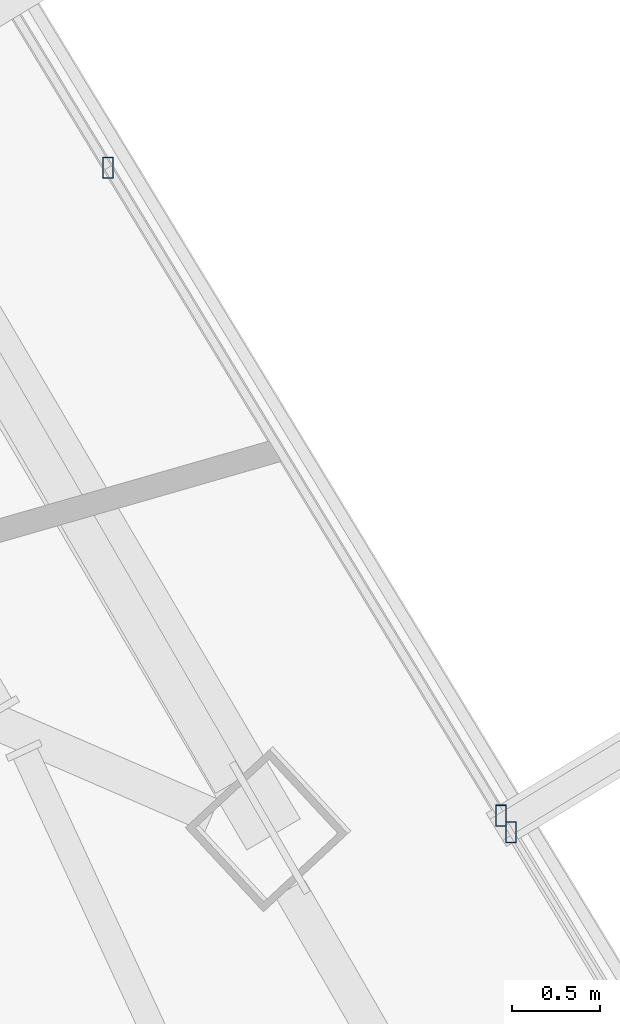
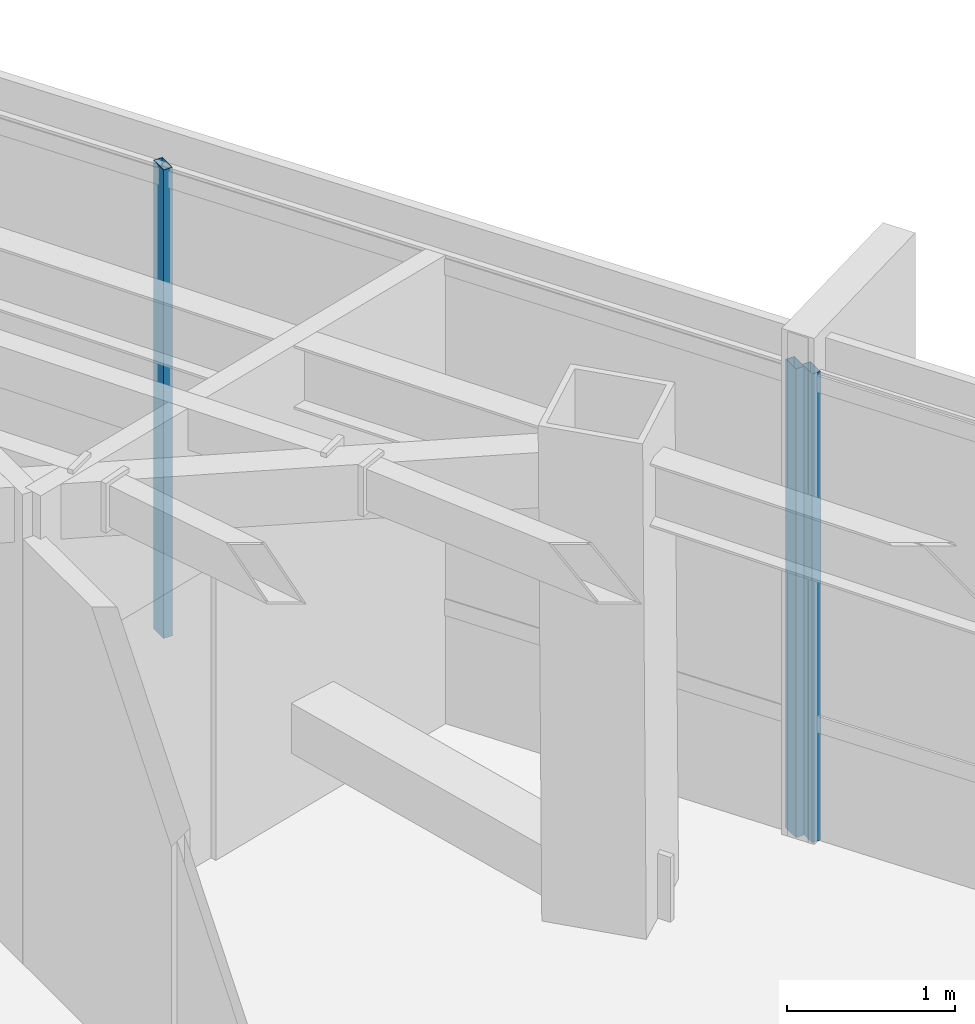
# One storey, part 26 of 45: 3 members, 2 elements without a shape of their own.
"""IFC4 building model written with IfcOpenShell, lengths in metres."""

import ifcopenshell
import ifcopenshell.guid

model = None  # the IFC model being written
_history = None  # IfcOwnerHistory: only IFC2X3 demands one
_inside = {}  # id of a spatial element -> (the spatial element, [elements in it])
_under = {}  # id of a project, library or spatial element -> (it, [spatial elements below it])
_declared = {}  # id of a project -> (the project, [libraries it declares])
_typed = {}  # id of a type object -> (the type object, [elements of that type])
_made_of = {}  # id of a material, layer set ... -> (it, [elements and type objects made of it])


def new_model(schema):
    """Start an empty IFC model of exactly this schema.

    Asked for "IFC4X3", IfcOpenShell would pick the latest addendum, in which some entities
    have other attributes; the version numbers below select the first issue.
    IFC2X3 requires an IfcOwnerHistory on every rooted entity: one is made here for all.
    """
    global model, _history
    if schema == "IFC4X3":
        model = ifcopenshell.file(schema_version=(4, 3, 0, 0))
    else:
        model = ifcopenshell.file(schema=schema)
    _inside.clear()
    _under.clear()
    _declared.clear()
    _typed.clear()
    _made_of.clear()
    _history = None
    if model.schema == "IFC2X3":
        org = make("IfcOrganization", Name="unknown")
        user = make(
            "IfcPersonAndOrganization",
            ThePerson=make("IfcPerson", FamilyName="unknown"),
            TheOrganization=org,
        )
        app = make(
            "IfcApplication",
            ApplicationDeveloper=org,
            Version="unknown",
            ApplicationFullName="unknown",
            ApplicationIdentifier="unknown",
        )
        _history = make(
            "IfcOwnerHistory",
            OwningUser=user,
            OwningApplication=app,
            ChangeAction="ADDED",
            CreationDate=0,
        )
    return model


def make(cls, **values):
    """One entity of the class cls with the attributes given. An attribute that is None is left unset."""
    return model.create_entity(
        cls, **{name: value for name, value in values.items() if value is not None}
    )


def rooted(cls, **values):
    """An entity with a GlobalId (a new one), such as an element, a storey or a relation."""
    return make(cls, GlobalId=ifcopenshell.guid.new(), OwnerHistory=_history, **values)


def si_unit(unit_type, name, prefix=None):
    """IfcSIUnit, for example si_unit("LENGTHUNIT", "METRE", prefix="MILLI")."""
    return make("IfcSIUnit", UnitType=unit_type, Prefix=prefix, Name=name)


def assignment(units):
    """IfcUnitAssignment: the units of a project."""
    return None if units is None else make("IfcUnitAssignment", Units=units)


def point(xyz):
    """IfcCartesianPoint."""
    return None if xyz is None else make("IfcCartesianPoint", Coordinates=xyz)


def direction(xyz):
    """IfcDirection."""
    return None if xyz is None else make("IfcDirection", DirectionRatios=xyz)


def frame(location, z_axis=None, x_axis=None):
    """IfcAxis2Placement3D, a coordinate frame: its origin and axes. An axis left out is left unset."""
    return make(
        "IfcAxis2Placement3D",
        Location=point(location),
        Axis=direction(z_axis),
        RefDirection=direction(x_axis),
    )


def frame_2d(location, x_axis=None):
    """IfcAxis2Placement2D, a coordinate frame in the plane: its origin and x axis."""
    return make(
        "IfcAxis2Placement2D", Location=point(location), RefDirection=direction(x_axis)
    )


def origin():
    """The frame at (0, 0, 0) with its axes left unset."""
    return frame((0.0, 0.0, 0.0))


def origin_2d():
    """The frame at (0, 0) in the plane with its x axis left unset."""
    return frame_2d((0.0, 0.0))


def place(relative_to, where):
    """IfcLocalPlacement: puts the frame where relative to a parent placement (None: the world)."""
    return make(
        "IfcLocalPlacement", PlacementRelTo=relative_to, RelativePlacement=where
    )


def context(
    kind, dimensions, precision=None, world=None, true_north=None, identifier=None
):
    """IfcGeometricRepresentationContext, for example the 3D "Model" context."""
    return make(
        "IfcGeometricRepresentationContext",
        ContextIdentifier=identifier,
        ContextType=kind,
        CoordinateSpaceDimension=dimensions,
        Precision=precision,
        WorldCoordinateSystem=world,
        TrueNorth=true_north,
    )


def subcontext(parent, identifier, kind, view, scale=None):
    """IfcGeometricRepresentationSubContext, for example "Body" below "Model"."""
    return make(
        "IfcGeometricRepresentationSubContext",
        ContextIdentifier=identifier,
        ContextType=kind,
        ParentContext=parent,
        TargetScale=scale,
        TargetView=view,
    )


def project(units=None, contexts=None):
    """IfcProject with its units and contexts."""
    return rooted(
        "IfcProject",
        Name="project",
        RepresentationContexts=contexts,
        UnitsInContext=assignment(units),
    )


def spatial(cls, under=None, at=None, **own):
    """A site, building, storey or space (cls), placed at a placement, below another one or the project."""
    s = rooted(cls, ObjectPlacement=at, **own)
    if under is not None:
        _under.setdefault(under.id(), (under, []))[1].append(s)
    return s


def profile(cls, at=None, kind="AREA", **sizes):
    """A parametric profile (cls). Its sizes go by their IFC names, for example OverallWidth=200.0."""
    return make(cls, ProfileType=kind, Position=at, **sizes)


def hollow_rectangle(**sizes):
    """IfcRectangleHollowProfileDef."""
    return profile("IfcRectangleHollowProfileDef", **sizes)


def extrude(swept, where, along, depth):
    """IfcExtrudedAreaSolid: the profile swept, set in the frame where, extruded along a direction by depth."""
    return make(
        "IfcExtrudedAreaSolid",
        SweptArea=swept,
        Position=where,
        ExtrudedDirection=direction(along),
        Depth=depth,
    )


def shape(context_of_items, identifier, shape_type, items):
    """IfcShapeRepresentation: the items that make up one representation, for example the "Body"."""
    return make(
        "IfcShapeRepresentation",
        ContextOfItems=context_of_items,
        RepresentationIdentifier=identifier,
        RepresentationType=shape_type,
        Items=items,
    )


def source(mapping_origin, context_of_items, identifier, shape_type, items):
    """IfcRepresentationMap: a shape defined once, which mapped items show again and again."""
    return make(
        "IfcRepresentationMap",
        MappingOrigin=mapping_origin,
        MappedRepresentation=shape(context_of_items, identifier, shape_type, items),
    )


def transform(
    local_origin,
    x_axis=None,
    y_axis=None,
    z_axis=None,
    scale=None,
    scale2=None,
    scale3=None,
    uniform=True,
):
    """IfcCartesianTransformationOperator3D, or its non-uniform kind. x_axis, y_axis, z_axis: its Axis1, 2, 3."""
    if uniform:
        return make(
            "IfcCartesianTransformationOperator3D",
            Axis1=direction(x_axis),
            Axis2=direction(y_axis),
            LocalOrigin=point(local_origin),
            Scale=scale,
            Axis3=direction(z_axis),
        )
    return make(
        "IfcCartesianTransformationOperator3DnonUniform",
        Axis1=direction(x_axis),
        Axis2=direction(y_axis),
        LocalOrigin=point(local_origin),
        Scale=scale,
        Axis3=direction(z_axis),
        Scale2=scale2,
        Scale3=scale3,
    )


def mapped(mapping_source, mapping_target):
    """IfcMappedItem: shows the shape of a source again, moved by a transform."""
    return make(
        "IfcMappedItem", MappingSource=mapping_source, MappingTarget=mapping_target
    )


def material(Name=None, Category=None):
    """IfcMaterial."""
    return make("IfcMaterial", Name=Name, Category=Category)


def material_profile(
    of_material, cross_section, Name=None, Category=None, Priority=None
):
    """IfcMaterialProfile: a cross section and its material."""
    return make(
        "IfcMaterialProfile",
        Name=Name,
        Material=of_material,
        Profile=cross_section,
        Priority=Priority,
        Category=Category,
    )


def profile_set(profiles, Name=None, composite=None):
    """IfcMaterialProfileSet."""
    return make(
        "IfcMaterialProfileSet",
        Name=Name,
        MaterialProfiles=profiles,
        CompositeProfile=composite,
    )


def made_of(thing, what):
    """Note that an element or type object is made of a material, layer set ...; save() writes the relation."""
    if what is not None:
        _made_of.setdefault(what.id(), (what, []))[1].append(thing)
    return thing


def type_object(cls, material=None, **own):
    """A type object (cls), such as IfcWallType, which elements share."""
    return made_of(rooted(cls, **own), material)


def type_shapes(of_type, sources):
    """Give a type object the sources (RepresentationMaps) that its elements show as mapped items."""
    of_type.RepresentationMaps = sources


def element(
    cls,
    number,
    at=None,
    inside=None,
    cuts=None,
    type_object=None,
    material=None,
    context=None,
    identifier="Body",
    shape_type=None,
    held_by="IfcProductDefinitionShape",
    body=None,
    shapes=None,
    **own,
):
    """One element of the class cls, such as IfcWall. Its Tag is "e" and its number.

    at: its placement. inside: the storey or other place that contains it. cuts: it is an
    opening in that element (IfcRelVoidsElement). A single representation is given by context,
    identifier, shape_type and body (its items); several are given by shapes. held_by: the class
    of the entity that holds the representations. save() writes the other relations.
    """
    e = rooted(cls, Tag="e%d" % number, ObjectPlacement=at, **own)
    if body is not None:
        shapes = [shape(context, identifier, shape_type, body)]
    if shapes is not None:
        e.Representation = make(held_by, Representations=shapes)
    if inside is not None:
        _inside.setdefault(inside.id(), (inside, []))[1].append(e)
    if cuts is not None:
        rooted(
            "IfcRelVoidsElement", RelatingBuildingElement=cuts, RelatedOpeningElement=e
        )
    if type_object is not None:
        _typed.setdefault(type_object.id(), (type_object, []))[1].append(e)
    return made_of(e, material)


def aggregate(whole, parts):
    """IfcRelAggregates: a whole, such as a stair, and the parts it consists of."""
    return rooted("IfcRelAggregates", RelatingObject=whole, RelatedObjects=parts)


def save(model, path):
    """Write the relations noted so far, then the file.

    IfcRelAggregates (storeys below a building ...), IfcRelContainedInSpatialStructure (elements
    in a storey), IfcRelDefinesByType, IfcRelAssociatesMaterial and IfcRelDeclares: one each for
    every whole, place, type object, material and project.
    """
    for whole, parts in _under.values():
        aggregate(whole, parts)
    for where, things in _inside.values():
        rooted(
            "IfcRelContainedInSpatialStructure",
            RelatedElements=things,
            RelatingStructure=where,
        )
    for kind, things in _typed.values():
        rooted("IfcRelDefinesByType", RelatedObjects=things, RelatingType=kind)
    for what, things in _made_of.values():
        rooted("IfcRelAssociatesMaterial", RelatedObjects=things, RelatingMaterial=what)
    for by, libraries in _declared.values():
        rooted("IfcRelDeclares", RelatingContext=by, RelatedDefinitions=libraries)
    model.write(path)


model = new_model("IFC4")

# Units and contexts
model_context = context("Model", 3, precision=1e-05, world=origin(), true_north=direction((0.0, 1.0)))
body_context = subcontext(model_context, "Body", "Model", "MODEL_VIEW")
ifc_project = project(units=[si_unit("LENGTHUNIT", "METRE"), si_unit("AREAUNIT", "SQUARE_METRE"), si_unit("VOLUMEUNIT", "CUBIC_METRE"), si_unit("PLANEANGLEUNIT", "RADIAN"), si_unit("MASSUNIT", "GRAM", prefix="KILO")], contexts=[model_context])

# Site, building, storey
site_placement = place(None, origin())
site = spatial("IfcSite", under=ifc_project, at=site_placement, CompositionType="ELEMENT")
building_placement = place(site_placement, origin())
building = spatial("IfcBuilding", under=site, at=building_placement, Name="Caelisora Broadcast Tower", CompositionType="ELEMENT")
storey_placement = place(building_placement, frame((0.0, 0.0, 240.800048828125)))
storey = spatial("IfcBuildingStorey", under=building, at=storey_placement, Name="L63", CompositionType="ELEMENT", Elevation=240.800048828125)

# Curtain wall, members
ifc_material_1 = material(Name="Unitised Aluminium Insulated Shadow-Box Spandrel Curtain Wall", Category="aluminium")
curtain_wall_type_1 = type_object("IfcCurtainWallType", Name="CW-SP3", PredefinedType="NOTDEFINED", material=ifc_material_1)
curtain_wall_1_placement = place(storey_placement, origin())
curtain_wall_1 = element("IfcCurtainWall", 1, at=curtain_wall_1_placement, inside=storey, type_object=curtain_wall_type_1, Name="L63 curtain wall CW-SP3", PredefinedType="NOTDEFINED")
ifc_material_2 = material(Name="Aluminium 6063-T6 Anodised Terracotta Bronze", Category="aluminium")
ifc_material_profile = material_profile(ifc_material_2, hollow_rectangle(XDim=0.06005859375, YDim=0.1201171875, WallThickness=0.0029296875, at=origin_2d()), Name="Aluminium 6063-T6 Anodised Terracotta Bronze")
ifc_profile_set = profile_set([ifc_material_profile], Name="Aluminium 6063-T6 Anodised Terracotta Bronze")
member_type = type_object("IfcMemberType", Name="CWM-04", PredefinedType="MULLION", material=ifc_profile_set)
shared_shape = source(origin(), body_context, "Body", "SweptSolid", [
    extrude(hollow_rectangle(XDim=0.06005859375, YDim=0.1201171875, WallThickness=0.0029296875, at=origin_2d()), origin(), (0.0, 0.0, 1.0), 3.39990234375),
])
type_shapes(member_type, [shared_shape])
member_1_placement = place(storey_placement, frame((52.9736328125, 30.168212890625, 0.0), z_axis=(0.0, 0.0, 1.0), x_axis=(1.0, 0.0, 0.0)))
member_1 = element("IfcMember", 2, at=member_1_placement, type_object=member_type, Name="L63-CW-B02 mullion #2", PredefinedType="MULLION", context=body_context, shape_type="MappedRepresentation", body=[
    mapped(shared_shape, transform((0.0, 0.0, 0.0), scale=1.0)),
])
member_2_placement = place(storey_placement, frame((55.1962890625, 26.504150390625, 0.0), z_axis=(0.0, 0.0, 1.0), x_axis=(1.0, 0.0, 0.0)))
member_2 = element("IfcMember", 3, at=member_2_placement, type_object=member_type, Name="L63-CW-B02 mullion #3", PredefinedType="MULLION", context=body_context, shape_type="MappedRepresentation", body=[
    mapped(shared_shape, transform((0.0, 0.0, 0.0), scale=1.0)),
])
aggregate(curtain_wall_1, [member_1, member_2])

# Curtain wall, member
ifc_material_3 = material(Name="Unitised Aluminium and Low-E Glass Curtain Wall", Category="glass")
curtain_wall_type_2 = type_object("IfcCurtainWallType", Name="CW-Z5", PredefinedType="NOTDEFINED", material=ifc_material_3)
curtain_wall_2_placement = place(storey_placement, origin())
curtain_wall_2 = element("IfcCurtainWall", 4, at=curtain_wall_2_placement, inside=storey, type_object=curtain_wall_type_2, Name="L63 curtain wall CW-Z5", PredefinedType="NOTDEFINED")
member_3_placement = place(storey_placement, frame((55.25341796875, 26.41015625, 0.0), z_axis=(0.0, 0.0, 1.0), x_axis=(1.0, 0.0, 0.0)))
member_3 = element("IfcMember", 5, at=member_3_placement, type_object=member_type, Name="L63-CW-B03 mullion #0", PredefinedType="MULLION", context=body_context, shape_type="MappedRepresentation", body=[
    mapped(shared_shape, transform((0.0, 0.0, 0.0), scale=1.0)),
])
aggregate(curtain_wall_2, [member_3])

save(model, "model.ifc")
